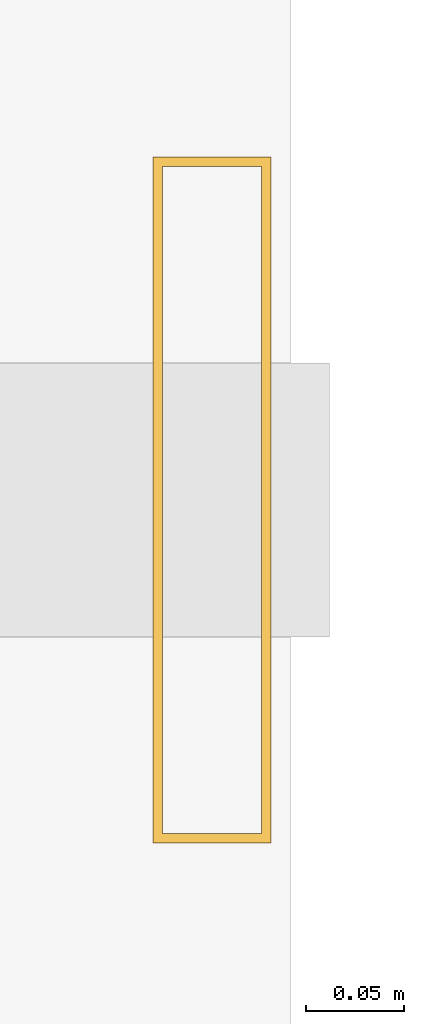
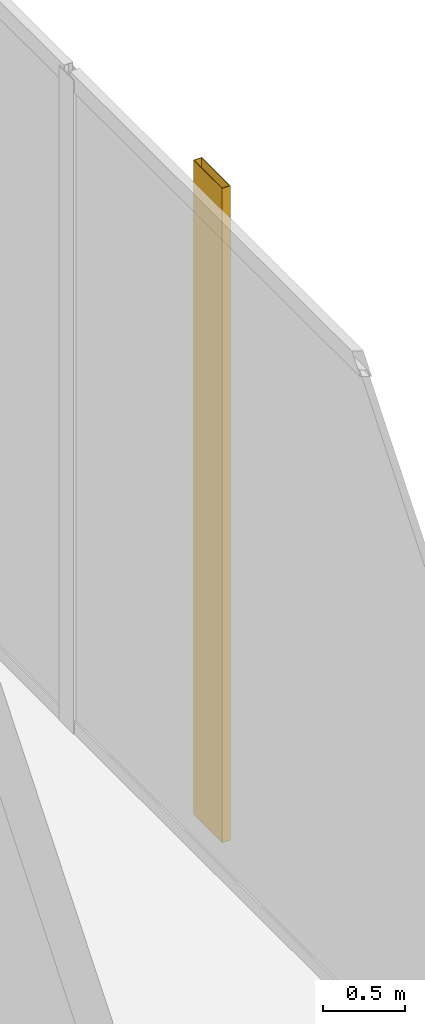
# One storey, part 36 of 36: 1 shading device.
"""IFC4 building model written with IfcOpenShell, lengths in metres."""

from ifc_helpers import new_model, si_unit, direction, frame, origin, origin_2d, place, context, subcontext, project, spatial, hollow_rectangle, extrude, material, material_profile, profile_set, type_object, element, save


model = new_model("IFC4")

# Units and contexts
model_context = context("Model", 3, precision=1e-05, world=origin(), true_north=direction((0.0, 1.0)))
body_context = subcontext(model_context, "Body", "Model", "MODEL_VIEW")
ifc_project = project(units=[si_unit("LENGTHUNIT", "METRE"), si_unit("AREAUNIT", "SQUARE_METRE"), si_unit("VOLUMEUNIT", "CUBIC_METRE"), si_unit("PLANEANGLEUNIT", "RADIAN"), si_unit("MASSUNIT", "GRAM", prefix="KILO")], contexts=[model_context])

# Site, building, storey
site_placement = place(None, origin())
site = spatial("IfcSite", under=ifc_project, at=site_placement, CompositionType="ELEMENT")
building_placement = place(site_placement, origin())
building = spatial("IfcBuilding", under=site, at=building_placement, Name="Kolvaren Waterfront Exchange", CompositionType="ELEMENT")
storey_placement = place(building_placement, frame((0.0, 0.0, 199.39990234375)))
storey = spatial("IfcBuildingStorey", under=building, at=storey_placement, Name="L51", CompositionType="ELEMENT", Elevation=199.39990234375)

# Shading device
ifc_material = material(Name="Anodised bronze aluminium 6063-T6", Category="aluminium")
ifc_material_profile = material_profile(ifc_material, hollow_rectangle(XDim=0.06005859375, YDim=0.35009765625, WallThickness=0.0048828125, at=origin_2d()), Name="BRZ-FIN-350x60x5")
ifc_profile_set = profile_set([ifc_material_profile], Name="Anodised bronze aluminium 6063-T6")
shading_device_type = type_object("IfcShadingDeviceType", Name="ARC-FIN-350", PredefinedType="USERDEFINED", material=ifc_profile_set)
shading_device_placement = place(storey_placement, frame((22.56005859375, 38.800048828125, 0.0), z_axis=(0.0, 0.0, 1.0), x_axis=(1.0, 0.0, 0.0)))
element("IfcShadingDevice", 1, at=shading_device_placement, inside=storey, type_object=shading_device_type, Name="L51 anodised bronze solar shading fin FIN-L51-E3", ObjectType="SOLAR FIN", PredefinedType="USERDEFINED", context=body_context, shape_type="SweptSolid", body=[
    extrude(hollow_rectangle(XDim=0.06005859375, YDim=0.35009765625, WallThickness=0.0048828125, at=origin_2d()), origin(), (0.0, 0.0, 1.0), 4.860107421875),
])

save(model, "model.ifc")
